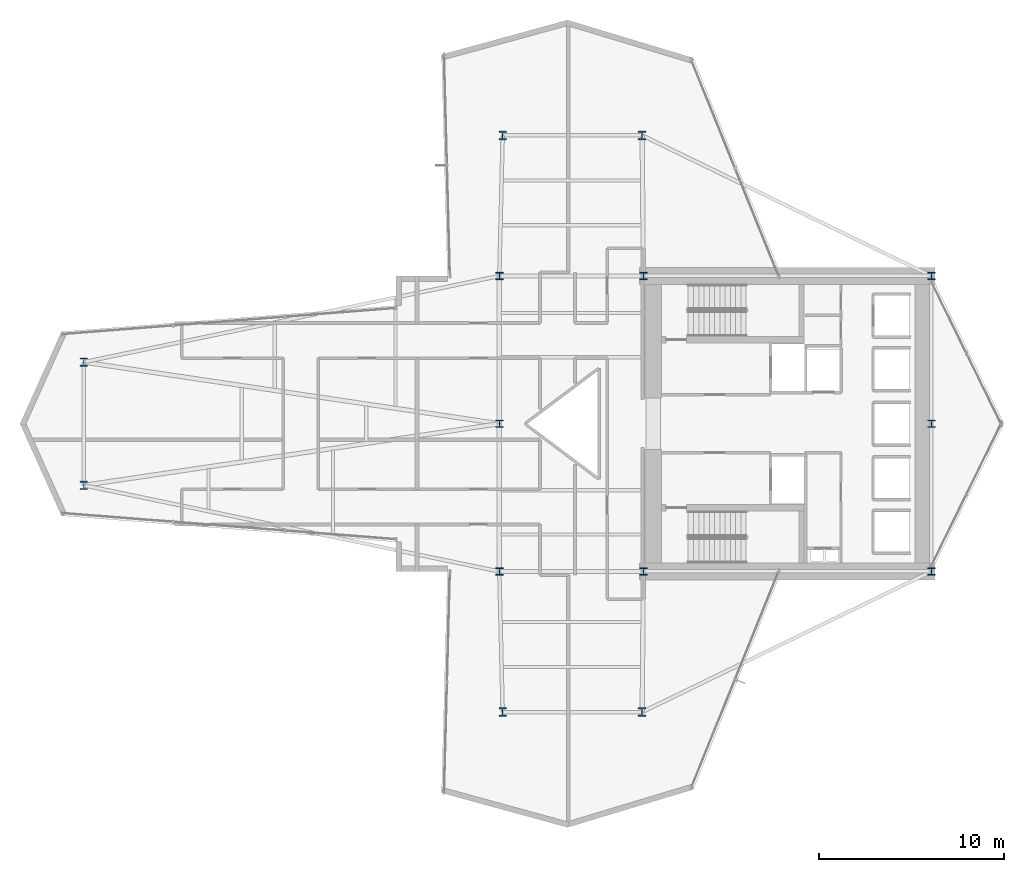
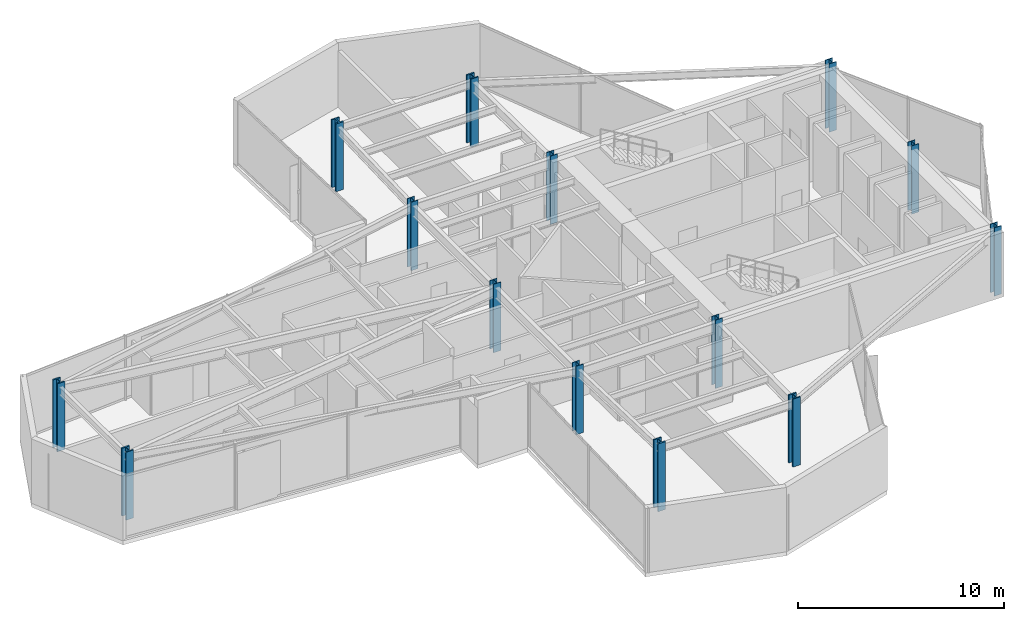
# One storey, part 1 of 29: 14 columns.
"""IFC4 building model written with IfcOpenShell, lengths in metres."""

from ifc_helpers import new_model, si_unit, direction, frame, origin, origin_2d, place, context, subcontext, project, spatial, i_section, extrude, material, material_profile, profile_set, type_object, element, save


model = new_model("IFC4")

# Units and contexts
model_context = context("Model", 3, precision=1e-05, world=origin(), true_north=direction((0.0, 1.0)))
body_context = subcontext(model_context, "Body", "Model", "MODEL_VIEW")
ifc_project = project(units=[si_unit("LENGTHUNIT", "METRE"), si_unit("AREAUNIT", "SQUARE_METRE"), si_unit("VOLUMEUNIT", "CUBIC_METRE"), si_unit("PLANEANGLEUNIT", "RADIAN"), si_unit("MASSUNIT", "GRAM", prefix="KILO")], contexts=[model_context])

# Site, building, storey
site_placement = place(None, origin())
site = spatial("IfcSite", under=ifc_project, at=site_placement, CompositionType="ELEMENT")
building_placement = place(site_placement, origin())
building = spatial("IfcBuilding", under=site, at=building_placement, Name="Veymaron Broadcast Tower", CompositionType="ELEMENT")
storey_placement = place(building_placement, frame((0.0, 0.0, 62.10009765625)))
storey = spatial("IfcBuildingStorey", under=building, at=storey_placement, Name="L13", CompositionType="ELEMENT", Elevation=62.10009765625)

# Columns
ifc_material = material(Name="Structural steel ASTM A913 Gr 65", Category="steel")
ifc_material_profile_1 = material_profile(ifc_material, i_section(OverallWidth=0.40087890625, OverallDepth=0.39892578125, WebThickness=0.02490234375, FlangeThickness=0.03955078125, at=origin_2d()), Name="W360X314")
ifc_profile_set_1 = profile_set([ifc_material_profile_1], Name="Structural steel ASTM A913 Gr 65")
column_type_1 = type_object("IfcColumnType", Name="COL-HC1", PredefinedType="COLUMN", material=ifc_profile_set_1)
for number, where, z_axis, x_axis, name in (
    (1, (31.199951171875, 16.0, 0.0), (0.0, 0.0, 1.0), (1.0, 0.0, 0.0), "L13 structural hub and core column"),
    (2, (31.199951171875, 24.0, 0.0), (0.0, 0.0, 1.0), (1.0, 0.0, 0.0), "L13 structural hub and core column"),
    (3, (31.199951171875, 32.0, 0.0), (0.0, 0.0, 1.0), (1.0, 0.0, 0.0), "L13 structural hub and core column"),
    (4, (39.0, 16.0, 0.0), (0.0, 0.0, 1.0), (1.0, 0.0, 0.0), "L13 structural hub and core column"),
    (5, (39.0, 32.0, 0.0), (0.0, 0.0, 1.0), (1.0, 0.0, 0.0), "L13 structural hub and core column"),
    (6, (54.60009765625, 16.0, 0.0), (0.0, 0.0, 1.0), (1.0, 0.0, 0.0), "L13 structural hub and core column"),
    (7, (54.60009765625, 24.0, 0.0), (0.0, 0.0, 1.0), (1.0, 0.0, 0.0), "L13 structural hub and core column"),
    (8, (54.60009765625, 32.0, 0.0), (0.0, 0.0, 1.0), (1.0, 0.0, 0.0), "L13 structural hub and core column"),
):
    element("IfcColumn", number, at=place(storey_placement, frame(where, z_axis=z_axis, x_axis=x_axis)), inside=storey, type_object=column_type_1, Name=name, PredefinedType="COLUMN", context=body_context, shape_type="SweptSolid", body=[
        extrude(i_section(OverallWidth=0.40087890625, OverallDepth=0.39892578125, WebThickness=0.02490234375, FlangeThickness=0.03955078125, at=origin_2d()), origin(), (0.0, 0.0, 1.0), 4.0439453125),
    ])
ifc_material_profile_2 = material_profile(ifc_material, i_section(OverallWidth=0.424072265625, OverallDepth=0.47412109375, WebThickness=0.047607421875, FlangeThickness=0.076904296875, at=origin_2d()), Name="W360X634")
ifc_profile_set_2 = profile_set([ifc_material_profile_2], Name="Structural steel ASTM A913 Gr 65")
column_type_2 = type_object("IfcColumnType", Name="COL-MC1", PredefinedType="COLUMN", material=ifc_profile_set_2)
for number, where, z_axis, x_axis, name in (
    (9, (8.697021484375, 20.6650390625, 0.015869140625), (0.0, 0.0, 1.0), (1.0, 0.0, 0.0), "L13 Tapered Wing Mega Column"),
    (10, (8.697021484375, 27.3349609375, 0.015869140625), (0.0, 0.0, 1.0), (1.0, 0.0, 0.0), "L13 Tapered Wing Mega Column"),
    (11, (31.382080078125, 39.610107421875, 0.015869140625), (0.0, 0.0, 1.0), (1.0, 0.0, 0.0), "L13 Tapered Wing Mega Column"),
    (12, (38.93505859375, 39.610107421875, 0.015869140625), (0.0, 0.0, 1.0), (1.0, 0.0, 0.0), "L13 Tapered Wing Mega Column"),
    (13, (31.382080078125, 8.389892578125, 0.015869140625), (0.0, 0.0, 1.0), (1.0, 0.0, 0.0), "L13 Tapered Wing Mega Column"),
    (14, (38.93505859375, 8.389892578125, 0.015869140625), (0.0, 0.0, 1.0), (1.0, 0.0, 0.0), "L13 Tapered Wing Mega Column"),
):
    element("IfcColumn", number, at=place(storey_placement, frame(where, z_axis=z_axis, x_axis=x_axis)), inside=storey, type_object=column_type_2, Name=name, PredefinedType="COLUMN", context=body_context, shape_type="SweptSolid", body=[
        extrude(i_section(OverallWidth=0.424072265625, OverallDepth=0.47412109375, WebThickness=0.047607421875, FlangeThickness=0.076904296875, at=origin_2d()), origin(), (0.0, 0.0, 1.0), 4.01806640625),
    ])

save(model, "model.ifc")
